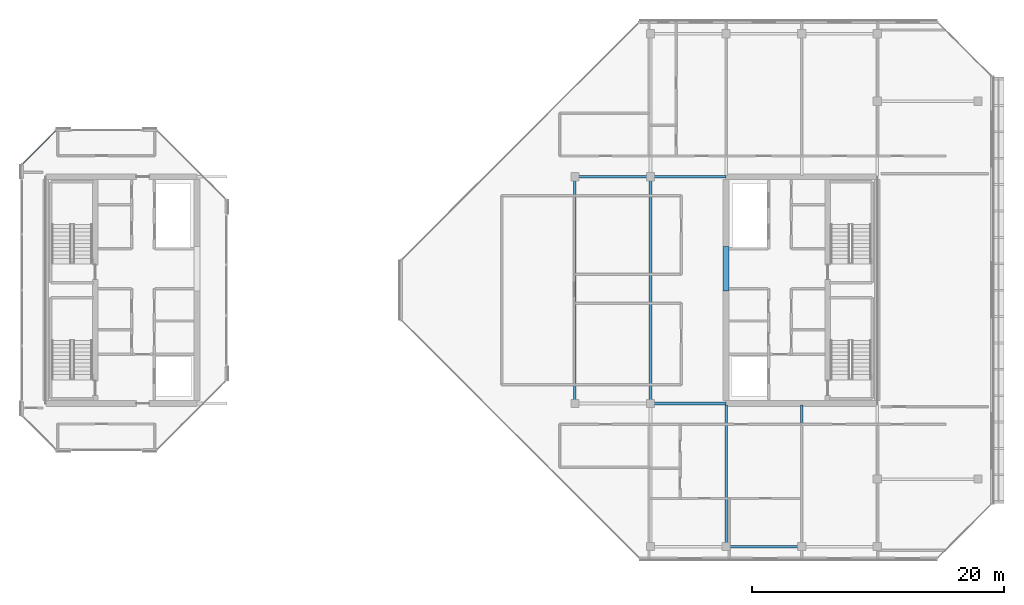
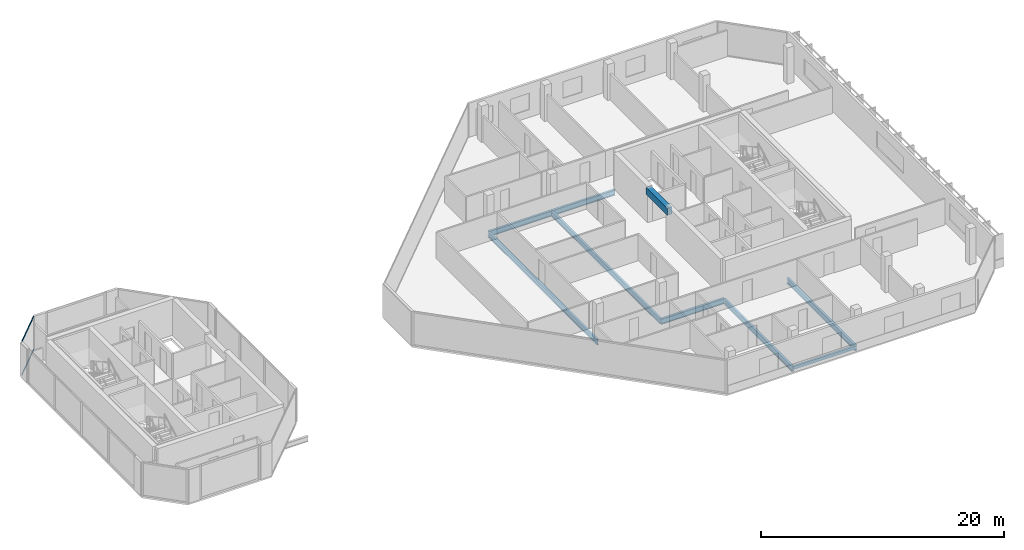
# One storey, part 11 of 28: 9 beams, 2 members, 1 element without a shape of its own.
"""IFC4 building model written with IfcOpenShell, lengths in metres."""

from ifc_helpers import new_model, si_unit, direction, frame, origin, origin_2d, place, context, subcontext, project, spatial, rectangle, hollow_rectangle, i_section, extrude, material, layer, layer_set, material_profile, profile_set, type_object, element, aggregate, save


model = new_model("IFC4")

# Units and contexts
model_context = context("Model", 3, precision=1e-05, world=origin(), true_north=direction((0.0, 1.0)))
body_context = subcontext(model_context, "Body", "Model", "MODEL_VIEW")
ifc_project = project(units=[si_unit("LENGTHUNIT", "METRE"), si_unit("AREAUNIT", "SQUARE_METRE"), si_unit("VOLUMEUNIT", "CUBIC_METRE"), si_unit("PLANEANGLEUNIT", "RADIAN"), si_unit("MASSUNIT", "GRAM", prefix="KILO")], contexts=[model_context])

# Site, building, storey
site_placement = place(None, origin())
site = spatial("IfcSite", under=ifc_project, at=site_placement, CompositionType="ELEMENT")
building_placement = place(site_placement, origin())
building = spatial("IfcBuilding", under=site, at=building_placement, Name="Tanjung Sevakor Pilgrim Tower", CompositionType="ELEMENT")
storey_placement = place(building_placement, frame((0.0, 0.0, 246.179931640625)))
storey = spatial("IfcBuildingStorey", under=building, at=storey_placement, Name="L69", CompositionType="ELEMENT", Elevation=246.179931640625)

# Beams
ifc_material_1 = material(Name="Steel S355J2", Category="steel")
ifc_material_profile_1 = material_profile(ifc_material_1, i_section(OverallWidth=0.2119140625, OverallDepth=0.54443359375, WebThickness=0.0126953125, FlangeThickness=0.021240234375, FilletRadius=0.0126953125, at=origin_2d()))
ifc_profile_set_1 = profile_set([ifc_material_profile_1], Name="Steel S355J2")
beam_type_1 = type_object("IfcBeamType", Name="BM-B-G5-UB_533x210x122", PredefinedType="BEAM", material=ifc_profile_set_1)
for number, where, z_axis, x_axis, name in (
    (1, (72.0, 24.60009765625, -0.4921875), (1.0, 0.0, 0.0), (0.0, 1.0, 0.0), "L69 Primary Floor Girder EAST Y246-02"),
    (2, (66.0, 42.60009765625, -0.4921875), (1.0, 0.0, 0.0), (0.0, 1.0, 0.0), "L69 Primary Floor Girder EAST Y426-01"),
    (3, (72.0, 42.60009765625, -0.4921875), (1.0, 0.0, 0.0), (0.0, 1.0, 0.0), "L69 Primary Floor Girder EAST Y426-02"),
):
    element("IfcBeam", number, at=place(storey_placement, frame(where, z_axis=z_axis, x_axis=x_axis)), inside=storey, type_object=beam_type_1, Name=name, PredefinedType="BEAM", context=body_context, shape_type="SweptSolid", body=[
        extrude(i_section(OverallWidth=0.2119140625, OverallDepth=0.54443359375, WebThickness=0.0126953125, FlangeThickness=0.021240234375, FilletRadius=0.0126953125, at=origin_2d()), origin(), (0.0, 0.0, 1.0), 6.0),
    ])
ifc_material_2 = material(Name="Steel S355J2", Category="steel")
ifc_material_profile_2 = material_profile(ifc_material_2, i_section(OverallWidth=0.210693359375, OverallDepth=0.53955078125, WebThickness=0.01171875, FlangeThickness=0.018798828125, FilletRadius=0.0126953125, at=origin_2d()))
ifc_profile_set_2 = profile_set([ifc_material_profile_2], Name="Steel S355J2")
beam_type_2 = type_object("IfcBeamType", Name="BM-B-G6-UB_533x210x109", PredefinedType="BEAM", material=ifc_profile_set_2)
for number, where, z_axis, x_axis, name in (
    (4, (66.0, 24.60009765625, -0.48974609375), (0.0, 1.0, 0.0), (-1.0, 0.0, 0.0), "L69 EAST Girder 001"),
    (5, (72.0, 24.60009765625, -0.48974609375), (0.0, 1.0, 0.0), (-1.0, 0.0, 0.0), "L69 EAST Girder 003"),
):
    element("IfcBeam", number, at=place(storey_placement, frame(where, z_axis=z_axis, x_axis=x_axis)), inside=storey, type_object=beam_type_2, Name=name, PredefinedType="BEAM", context=body_context, shape_type="SweptSolid", body=[
        extrude(i_section(OverallWidth=0.210693359375, OverallDepth=0.53955078125, WebThickness=0.01171875, FlangeThickness=0.018798828125, FilletRadius=0.0126953125, at=origin_2d()), origin(), (0.0, 0.0, 1.0), 18.0),
    ])
for number, where, z_axis, x_axis, name in (
    (6, (78.0, 13.25, -0.48974609375), (0.0, 1.0, 0.0), (-1.0, 0.0, 0.0), "L69 EAST Girder 005"),
    (7, (84.0, 13.25, -0.48974609375), (0.0, 1.0, 0.0), (-1.0, 0.0, 0.0), "L69 EAST Girder 007"),
):
    element("IfcBeam", number, at=place(storey_placement, frame(where, z_axis=z_axis, x_axis=x_axis)), inside=storey, type_object=beam_type_2, Name=name, PredefinedType="BEAM", context=body_context, shape_type="SweptSolid", body=[
        extrude(i_section(OverallWidth=0.210693359375, OverallDepth=0.53955078125, WebThickness=0.01171875, FlangeThickness=0.018798828125, FilletRadius=0.0126953125, at=origin_2d()), origin(), (0.0, 0.0, 1.0), 11.243896484375),
    ])
ifc_material_3 = material(Name="Concrete C60/75", Category="concrete")
ifc_material_profile_3 = material_profile(ifc_material_3, rectangle(XDim=0.449951171875, YDim=0.699951171875, at=origin_2d()))
ifc_profile_set_3 = profile_set([ifc_material_profile_3], Name="Concrete C60/75")
beam_type_3 = type_object("IfcBeamType", Name="BM-B-LN3-RC-BM_450x700", PredefinedType="LINTEL", material=ifc_profile_set_3)
beam_1_placement = place(storey_placement, frame((78.0, 33.550048828125, 3.06005859375), z_axis=(0.0, 1.0, 0.0), x_axis=(-1.0, 0.0, 0.0)))
element("IfcBeam", 8, at=beam_1_placement, inside=storey, type_object=beam_type_3, Name="L69 E Core Coupling Lintel", PredefinedType="LINTEL", context=body_context, shape_type="SweptSolid", body=[
    extrude(rectangle(XDim=0.449951171875, YDim=0.699951171875, at=origin_2d()), origin(), (0.0, 0.0, 1.0), 3.5),
])
ifc_material_4 = material(Name="Steel S355J2", Category="steel")
ifc_material_profile_4 = material_profile(ifc_material_4, hollow_rectangle(XDim=0.199951171875, YDim=0.300048828125, WallThickness=0.012451171875, at=origin_2d()))
ifc_profile_set_4 = profile_set([ifc_material_profile_4], Name="Steel S355J2")
beam_type_4 = type_object("IfcBeamType", Name="BM-B-SP3-RHS_300x200x12.5", PredefinedType="SPANDREL", material=ifc_profile_set_4)
beam_2_placement = place(storey_placement, frame((78.0, 13.25, -0.369873046875), z_axis=(1.0, 0.0, 0.0), x_axis=(0.0, 1.0, 0.0)))
element("IfcBeam", 9, at=beam_2_placement, inside=storey, type_object=beam_type_4, Name="L69 Spandrel EAST S-03", PredefinedType="SPANDREL", context=body_context, shape_type="SweptSolid", body=[
    extrude(hollow_rectangle(XDim=0.199951171875, YDim=0.300048828125, WallThickness=0.012451171875, at=origin_2d()), origin(), (0.0, 0.0, 1.0), 6.0),
])

# Curtain wall, members
ifc_material_5 = material(Name="Aluminium 6063-T6 and Low-E Glass", Category="aluminium")
ifc_layer = layer(ifc_material_5, 0.179931640625)
ifc_layer_set = layer_set([ifc_layer], Name="CW-SYS-CHAM")
curtain_wall_type = type_object("IfcCurtainWallType", Name="CW-SYS-CHAM", PredefinedType="NOTDEFINED", material=ifc_layer_set)
curtain_wall_placement = place(storey_placement, origin())
curtain_wall = element("IfcCurtainWall", 10, at=curtain_wall_placement, inside=storey, type_object=curtain_wall_type, Name="L69 Curtain Wall CW-CHM-L69-WEST-5", PredefinedType="NOTDEFINED")
ifc_material_6 = material(Name="Aluminium 6063-T6", Category="aluminium")
ifc_material_profile_5 = material_profile(ifc_material_6, hollow_rectangle(XDim=0.06494140625, YDim=0.139892578125, WallThickness=0.00390625, at=origin_2d()))
ifc_profile_set_5 = profile_set([ifc_material_profile_5], Name="Aluminium 6063-T6")
member_type = type_object("IfcMemberType", Name="TYPE-CWT-1", PredefinedType="USERDEFINED", material=ifc_profile_set_5)
member_1_placement = place(storey_placement, frame((24.799560546875, 46.244140625, 0.032470703125), z_axis=(-0.707074130168, -0.707139430697, 0.0), x_axis=(0.707139430697, -0.707074130168, 0.0)))
member_1 = element("IfcMember", 11, at=member_1_placement, type_object=member_type, Name="CW-CHM transom 1.1", ObjectType="TRANSOM", PredefinedType="USERDEFINED", context=body_context, shape_type="SweptSolid", body=[
    extrude(hollow_rectangle(XDim=0.06494140625, YDim=0.139892578125, WallThickness=0.00390625, at=origin_2d()), origin(), (0.0, 0.0, 1.0), 3.73876953125),
])
member_2_placement = place(storey_placement, frame((24.799560546875, 46.244140625, 3.377685546875), z_axis=(-0.707074130168, -0.707139430697, 0.0), x_axis=(0.707139430697, -0.707074130168, 0.0)))
member_2 = element("IfcMember", 12, at=member_2_placement, type_object=member_type, Name="CW-CHM transom 1.2", ObjectType="TRANSOM", PredefinedType="USERDEFINED", context=body_context, shape_type="SweptSolid", body=[
    extrude(hollow_rectangle(XDim=0.06494140625, YDim=0.139892578125, WallThickness=0.00390625, at=origin_2d()), origin(), (0.0, 0.0, 1.0), 3.73876953125),
])
aggregate(curtain_wall, [member_1, member_2])

save(model, "model.ifc")
